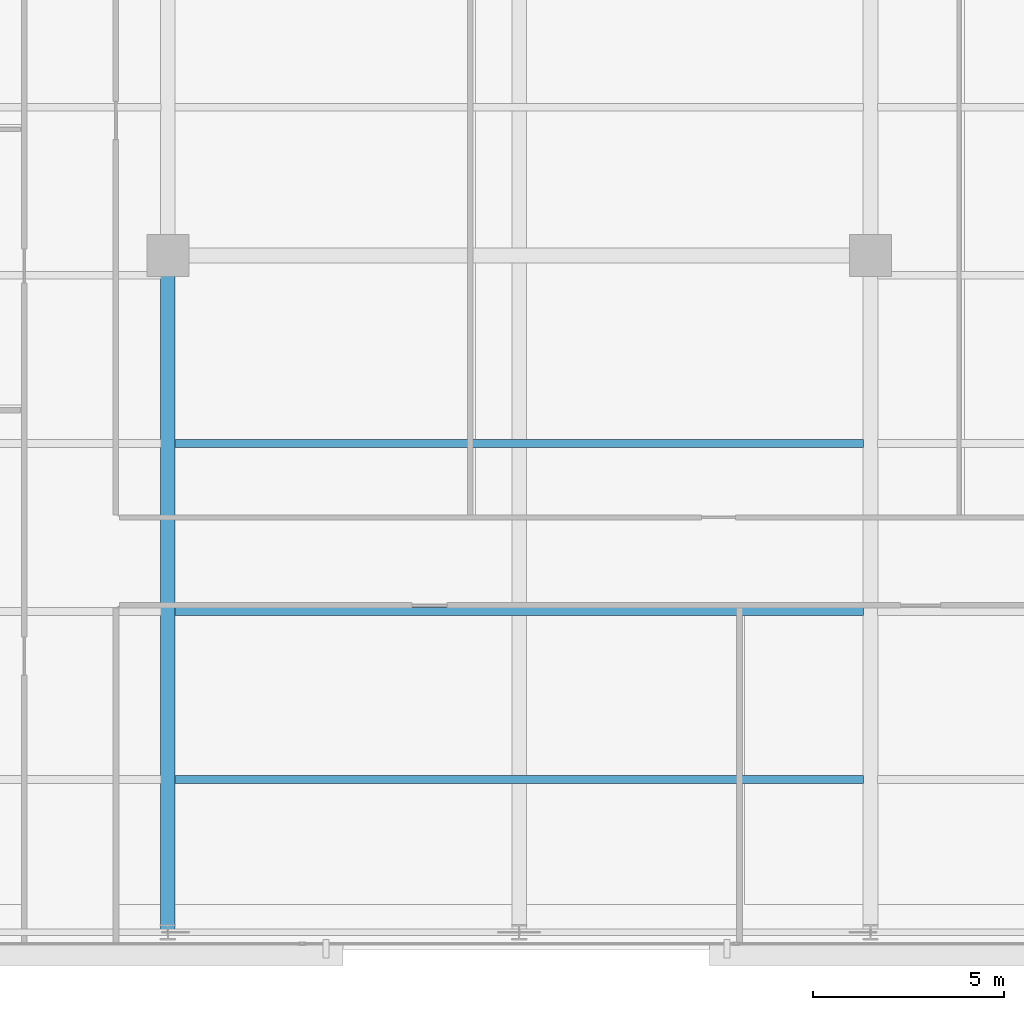
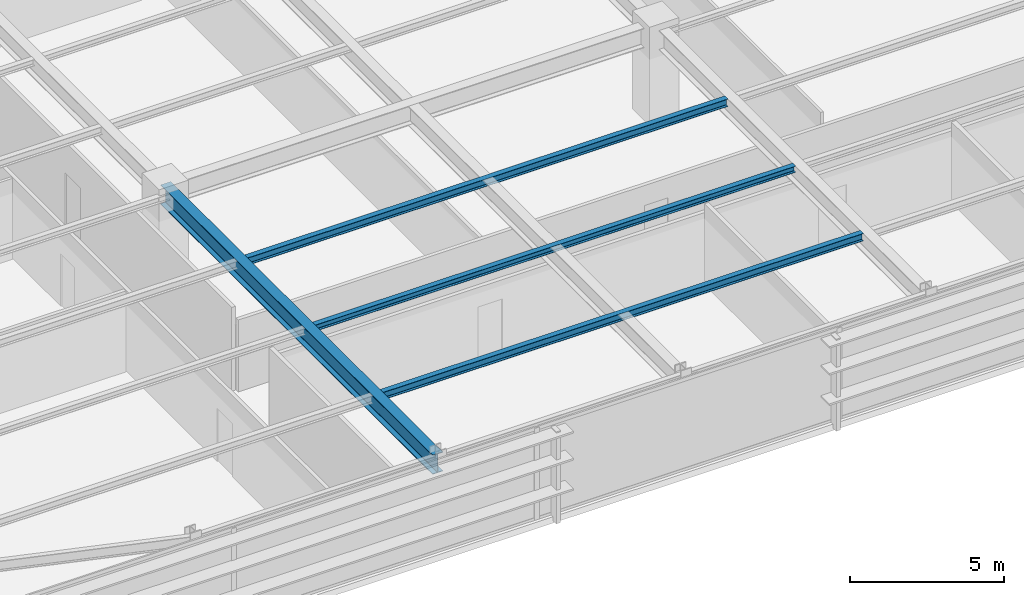
# One storey, part 7 of 32: 4 beams.
"""IFC4 building model written with IfcOpenShell, lengths in metres."""

from ifc_helpers import new_model, si_unit, direction, frame, origin, origin_2d, place, context, subcontext, project, spatial, i_section, extrude, source, transform, mapped, material, material_profile, profile_set, type_object, type_shapes, element, save


model = new_model("IFC4")

# Units and contexts
model_context = context("Model", 3, precision=1e-05, world=origin(), true_north=direction((0.0, 1.0)))
body_context = subcontext(model_context, "Body", "Model", "MODEL_VIEW")
ifc_project = project(units=[si_unit("LENGTHUNIT", "METRE"), si_unit("AREAUNIT", "SQUARE_METRE"), si_unit("VOLUMEUNIT", "CUBIC_METRE"), si_unit("PLANEANGLEUNIT", "RADIAN"), si_unit("MASSUNIT", "GRAM", prefix="KILO")], contexts=[model_context])

# Site, building, storey
site_placement = place(None, origin())
site = spatial("IfcSite", under=ifc_project, at=site_placement, CompositionType="ELEMENT")
building_placement = place(site_placement, origin())
building = spatial("IfcBuilding", under=site, at=building_placement, Name="Varnel Quay Broadcast Tower", CompositionType="ELEMENT")
storey_placement = place(building_placement, frame((0.0, 0.0, 54.89990234375)))
storey = spatial("IfcBuildingStorey", under=building, at=storey_placement, Name="L12", CompositionType="ELEMENT", Elevation=54.89990234375)

# Beams
ifc_material = material(Name="Structural Steel CSA G40.21 350W", Category="steel")
ifc_material_profile_1 = material_profile(ifc_material, i_section(OverallWidth=0.381103515625, OverallDepth=0.77294921875, WebThickness=0.0166015625, FlangeThickness=0.027587890625, FilletRadius=0.01806640625, at=origin_2d()), Name="W760X257")
ifc_profile_set_1 = profile_set([ifc_material_profile_1], Name="Structural Steel CSA G40.21 350W")
beam_type_1 = type_object("IfcBeamType", Name="Girder_W760X257", PredefinedType="BEAM", material=ifc_profile_set_1)
shared_shape_1 = source(origin(), body_context, "Body", "SweptSolid", [
    extrude(i_section(OverallWidth=0.381103515625, OverallDepth=0.77294921875, WebThickness=0.0166015625, FlangeThickness=0.027587890625, FilletRadius=0.01806640625, at=origin_2d()), origin(), (0.0, 0.0, 1.0), 17.68017578125),
])
type_shapes(beam_type_1, [shared_shape_1])
beam_1_placement = place(storey_placement, frame((24.800048828125, 1.669921875, 3.263671875), z_axis=(0.0, 1.0, 0.0), x_axis=(-1.0, 0.0, 0.0)))
element("IfcBeam", 1, at=beam_1_placement, inside=storey, type_object=beam_type_1, Name="L12 Primary Girder TC-S2-IC-01", PredefinedType="BEAM", context=body_context, shape_type="MappedRepresentation", body=[
    mapped(shared_shape_1, transform((0.0, 0.0, 0.0), x_axis=(1.0, 0.0, 0.0), y_axis=(0.0, 1.0, 0.0), z_axis=(0.0, 0.0, 1.0), scale=1.0)),
])
ifc_material_profile_2 = material_profile(ifc_material, i_section(OverallWidth=0.202880859375, OverallDepth=0.302978515625, WebThickness=0.007568359375, FlangeThickness=0.01318359375, FilletRadius=0.011962890625, at=origin_2d()), Name="W310X60")
ifc_profile_set_2 = profile_set([ifc_material_profile_2], Name="Structural Steel CSA G40.21 350W")
beam_type_2 = type_object("IfcBeamType", Name="Beam_W310X60", PredefinedType="JOIST", material=ifc_profile_set_2)
shared_shape_2 = source(origin(), body_context, "Body", "SweptSolid", [
    extrude(i_section(OverallWidth=0.202880859375, OverallDepth=0.302978515625, WebThickness=0.007568359375, FlangeThickness=0.01318359375, FilletRadius=0.011962890625, at=origin_2d()), origin(), (0.0, 0.0, 1.0), 18.02880859375),
])
type_shapes(beam_type_2, [shared_shape_2])
for number, where, z_axis, x_axis, name in (
    (2, (24.985595703125, 5.64990234375, 3.49853515625), (1.0, 0.0, 0.0), (0.0, 1.0, 0.0), "L12 Central Floor Joist 1"),
    (3, (24.985595703125, 14.449951171875, 3.49853515625), (1.0, 0.0, 0.0), (0.0, 1.0, 0.0), "L12 Central Floor Joist 3"),
):
    element("IfcBeam", number, at=place(storey_placement, frame(where, z_axis=z_axis, x_axis=x_axis)), inside=storey, type_object=beam_type_2, Name=name, PredefinedType="JOIST", context=body_context, shape_type="MappedRepresentation", body=[
        mapped(shared_shape_2, transform((0.0, 0.0, 0.0), x_axis=(1.0, 0.0, 0.0), y_axis=(0.0, 1.0, 0.0), z_axis=(0.0, 0.0, 1.0), scale=1.0)),
    ])
ifc_material_profile_3 = material_profile(ifc_material, i_section(OverallWidth=0.201904296875, OverallDepth=0.2470703125, WebThickness=0.00732421875, FlangeThickness=0.010986328125, FilletRadius=0.010986328125, at=origin_2d()), Name="W250X49")
ifc_profile_set_3 = profile_set([ifc_material_profile_3], Name="Structural Steel CSA G40.21 350W")
beam_type_3 = type_object("IfcBeamType", Name="Beam_W250X49", PredefinedType="JOIST", material=ifc_profile_set_3)
shared_shape_3 = source(origin(), body_context, "Body", "SweptSolid", [
    extrude(i_section(OverallWidth=0.201904296875, OverallDepth=0.2470703125, WebThickness=0.00732421875, FlangeThickness=0.010986328125, FilletRadius=0.010986328125, at=origin_2d()), origin(), (0.0, 0.0, 1.0), 18.02880859375),
])
type_shapes(beam_type_3, [shared_shape_3])
beam_2_placement = place(storey_placement, frame((24.985595703125, 10.050048828125, 3.526611328125), z_axis=(1.0, 0.0, 0.0), x_axis=(0.0, 1.0, 0.0)))
element("IfcBeam", 4, at=beam_2_placement, inside=storey, type_object=beam_type_3, Name="L12 Central Floor Joist 2", PredefinedType="JOIST", context=body_context, shape_type="MappedRepresentation", body=[
    mapped(shared_shape_3, transform((0.0, 0.0, 0.0), x_axis=(1.0, 0.0, 0.0), y_axis=(0.0, 1.0, 0.0), z_axis=(0.0, 0.0, 1.0), scale=1.0)),
])

save(model, "model.ifc")
